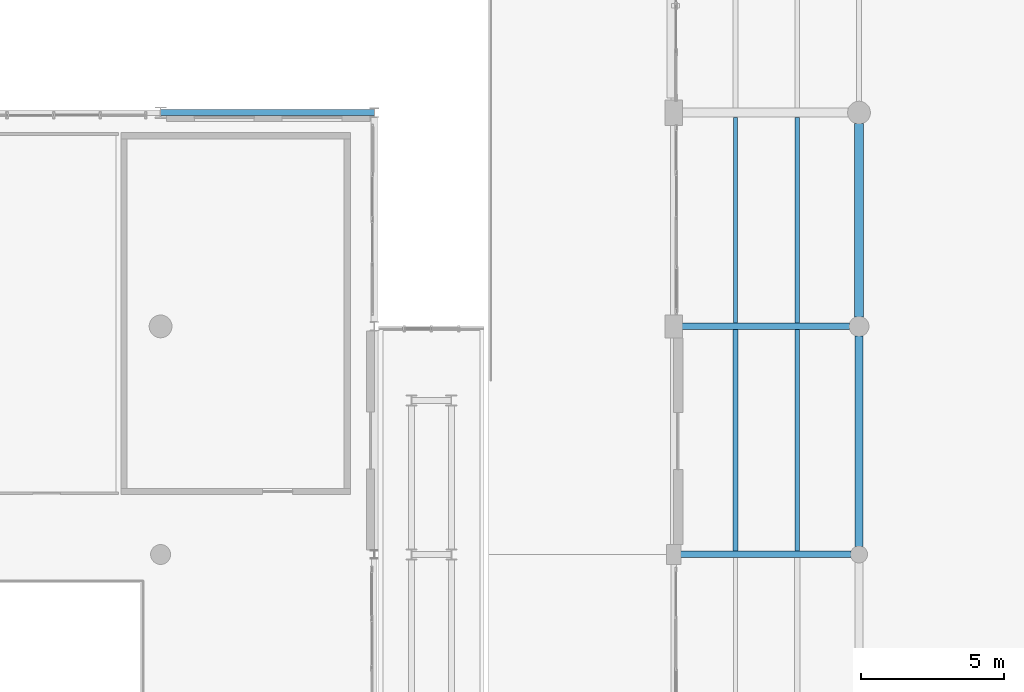
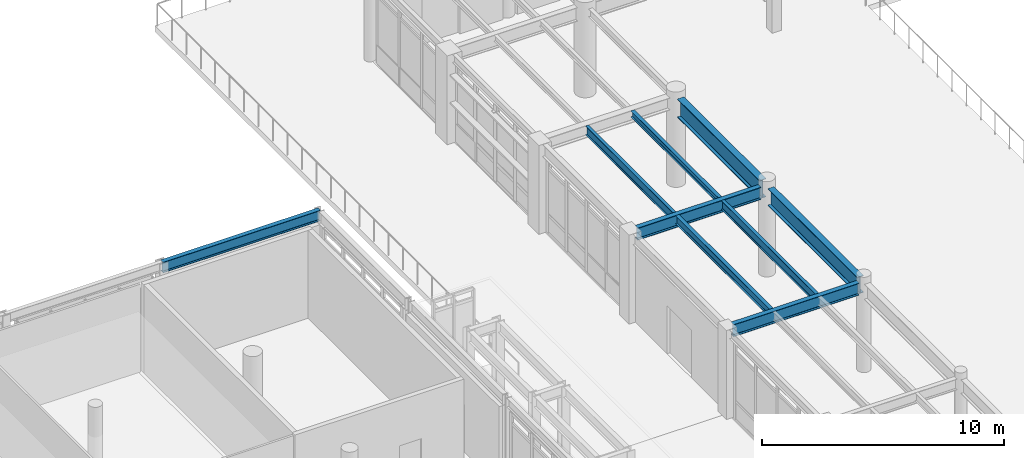
# One storey, part 39 of 200: 9 beams.
"""IFC4 building model written with IfcOpenShell, lengths in metres."""

from ifc_helpers import new_model, si_unit, direction, frame, origin, origin_2d, place, context, subcontext, project, spatial, i_section, extrude, material, material_profile, profile_set, type_object, element, save


model = new_model("IFC4")

# Units and contexts
model_context = context("Model", 3, precision=1e-05, world=origin(), true_north=direction((0.0, 1.0)))
body_context = subcontext(model_context, "Body", "Model", "MODEL_VIEW")
ifc_project = project(units=[si_unit("LENGTHUNIT", "METRE"), si_unit("AREAUNIT", "SQUARE_METRE"), si_unit("VOLUMEUNIT", "CUBIC_METRE"), si_unit("PLANEANGLEUNIT", "RADIAN"), si_unit("MASSUNIT", "GRAM", prefix="KILO"), si_unit("THERMODYNAMICTEMPERATUREUNIT", "KELVIN"), si_unit("POWERUNIT", "WATT")], contexts=[model_context])

# Site, building, storey
site_placement = place(None, origin())
site = spatial("IfcSite", under=ifc_project, at=site_placement, CompositionType="ELEMENT")
building_placement = place(site_placement, origin())
building = spatial("IfcBuilding", under=site, at=building_placement, Name="Tepalcoro Natatorium and Aquatics Centre", CompositionType="ELEMENT")
storey_placement = place(building_placement, frame((0.0, 0.0, 5.39990234375)))
storey = spatial("IfcBuildingStorey", under=building, at=storey_placement, Name="L01", CompositionType="ELEMENT", Elevation=5.39990234375)

# Beams
ifc_material = material(Name="Steel ASTM A992 Grade 50 (Fy 345 MPa)", Category="steel")
ifc_material_profile_1 = material_profile(ifc_material, i_section(OverallWidth=0.22802734375, OverallDepth=0.60693359375, WebThickness=0.010986328125, FlangeThickness=0.01708984375, FilletRadius=0.013916015625, at=origin_2d()), Name="W24X76")
ifc_profile_set_1 = profile_set([ifc_material_profile_1], Name="Steel ASTM A992 Grade 50 (Fy 345 MPa)")
beam_type_1 = type_object("IfcBeamType", Name="BM_W24x76", PredefinedType="BEAM", material=ifc_profile_set_1)
beam_1_placement = place(storey_placement, frame((46.735107421875, 36.0, 4.16162109375), z_axis=(1.0, 0.0, 0.0), x_axis=(0.0, 1.0, 0.0)))
element("IfcBeam", 1, at=beam_1_placement, inside=storey, type_object=beam_type_1, Name="V1 L01 Grid Girder X", PredefinedType="BEAM", context=body_context, shape_type="SweptSolid", body=[
    extrude(i_section(OverallWidth=0.22802734375, OverallDepth=0.60693359375, WebThickness=0.010986328125, FlangeThickness=0.01708984375, FilletRadius=0.013916015625, at=origin_2d()), origin(), (0.0, 0.0, 1.0), 5.97998046875),
])
ifc_material_profile_2 = material_profile(ifc_material, i_section(OverallWidth=0.22998046875, OverallDepth=0.616943359375, WebThickness=0.012939453125, FlangeThickness=0.02197265625, FilletRadius=0.013916015625, at=origin_2d()), Name="W24X94")
ifc_profile_set_2 = profile_set([ifc_material_profile_2], Name="Steel ASTM A992 Grade 50 (Fy 345 MPa)")
beam_type_2 = type_object("IfcBeamType", Name="BM_W24x94", PredefinedType="BEAM", material=ifc_profile_set_2)
beam_2_placement = place(storey_placement, frame((46.784912109375, 44.0, 4.156494140625), z_axis=(1.0, 0.0, 0.0), x_axis=(0.0, 1.0, 0.0)))
element("IfcBeam", 2, at=beam_2_placement, inside=storey, type_object=beam_type_2, Name="V1 L01 Grid Girder X", PredefinedType="BEAM", context=body_context, shape_type="SweptSolid", body=[
    extrude(i_section(OverallWidth=0.22998046875, OverallDepth=0.616943359375, WebThickness=0.012939453125, FlangeThickness=0.02197265625, FilletRadius=0.013916015625, at=origin_2d()), origin(), (0.0, 0.0, 1.0), 5.880126953125),
])
ifc_material_profile_3 = material_profile(ifc_material, i_section(OverallWidth=0.2919921875, OverallDepth=0.85888671875, WebThickness=0.01708984375, FlangeThickness=0.031005859375, FilletRadius=0.013916015625, at=origin_2d()), Name="W33X169")
ifc_profile_set_3 = profile_set([ifc_material_profile_3], Name="Steel ASTM A992 Grade 50 (Fy 345 MPa)")
beam_type_3 = type_object("IfcBeamType", Name="BM_W33x169", PredefinedType="BEAM", material=ifc_profile_set_3)
beam_3_placement = place(storey_placement, frame((53.0, 36.284912109375, 4.03564453125), z_axis=(0.0, 1.0, 0.0), x_axis=(-1.0, 0.0, 0.0)))
element("IfcBeam", 3, at=beam_3_placement, inside=storey, type_object=beam_type_3, Name="V1 L01 Grid Girder Y", PredefinedType="BEAM", context=body_context, shape_type="SweptSolid", body=[
    extrude(i_section(OverallWidth=0.2919921875, OverallDepth=0.85888671875, WebThickness=0.01708984375, FlangeThickness=0.031005859375, FilletRadius=0.013916015625, at=origin_2d()), origin(), (0.0, 0.0, 1.0), 7.380126953125),
])
ifc_material_profile_4 = material_profile(ifc_material, i_section(OverallWidth=0.31005859375, OverallDepth=0.931884765625, WebThickness=0.02099609375, FlangeThickness=0.034912109375, FilletRadius=0.013916015625, at=origin_2d()), Name="W36X210")
ifc_profile_set_4 = profile_set([ifc_material_profile_4], Name="Steel ASTM A992 Grade 50 (Fy 345 MPa)")
beam_type_4 = type_object("IfcBeamType", Name="BM_W36x210", PredefinedType="BEAM", material=ifc_profile_set_4)
beam_4_placement = place(storey_placement, frame((53.0, 44.3349609375, 3.9990234375), z_axis=(0.0, 1.0, 0.0), x_axis=(-1.0, 0.0, 0.0)))
element("IfcBeam", 4, at=beam_4_placement, inside=storey, type_object=beam_type_4, Name="V1 L01 Grid Girder Y", PredefinedType="BEAM", context=body_context, shape_type="SweptSolid", body=[
    extrude(i_section(OverallWidth=0.31005859375, OverallDepth=0.931884765625, WebThickness=0.02099609375, FlangeThickness=0.034912109375, FilletRadius=0.013916015625, at=origin_2d()), origin(), (0.0, 0.0, 1.0), 6.780029296875),
])
ifc_material_profile_5 = material_profile(ifc_material, i_section(OverallWidth=0.1650390625, OverallDepth=0.31005859375, WebThickness=0.006103515625, FlangeThickness=0.010009765625, FilletRadius=0.013916015625, at=origin_2d()), Name="W12X26")
ifc_profile_set_5 = profile_set([ifc_material_profile_5], Name="Steel ASTM A992 Grade 50 (Fy 345 MPa)")
beam_type_5 = type_object("IfcBeamType", Name="JS_W12x26", PredefinedType="JOIST", material=ifc_profile_set_5)
beam_5_placement = place(storey_placement, frame((50.833251953125, 44.114990234375, 4.31005859375), z_axis=(0.0, 1.0, 0.0), x_axis=(-1.0, 0.0, 0.0)))
element("IfcBeam", 5, at=beam_5_placement, inside=storey, type_object=beam_type_5, Name="V1 L01 Floor Joist", PredefinedType="JOIST", context=body_context, shape_type="SweptSolid", body=[
    extrude(i_section(OverallWidth=0.1650390625, OverallDepth=0.31005859375, WebThickness=0.006103515625, FlangeThickness=0.010009765625, FilletRadius=0.013916015625, at=origin_2d()), origin(), (0.0, 0.0, 1.0), 7.222412109375),
])
ifc_material_profile_6 = material_profile(ifc_material, i_section(OverallWidth=0.178955078125, OverallDepth=0.409912109375, WebThickness=0.009033203125, FlangeThickness=0.013916015625, FilletRadius=0.013916015625, at=origin_2d()), Name="W16X45")
ifc_profile_set_6 = profile_set([ifc_material_profile_6], Name="Steel ASTM A992 Grade 50 (Fy 345 MPa)")
beam_type_6 = type_object("IfcBeamType", Name="JS_W16x45", PredefinedType="JOIST", material=ifc_profile_set_6)
beam_6_placement = place(storey_placement, frame((48.666748046875, 36.114013671875, 4.260009765625), z_axis=(0.0, 1.0, 0.0), x_axis=(-1.0, 0.0, 0.0)))
element("IfcBeam", 6, at=beam_6_placement, inside=storey, type_object=beam_type_6, Name="V1 L01 Floor Joist", PredefinedType="JOIST", context=body_context, shape_type="SweptSolid", body=[
    extrude(i_section(OverallWidth=0.178955078125, OverallDepth=0.409912109375, WebThickness=0.009033203125, FlangeThickness=0.013916015625, FilletRadius=0.013916015625, at=origin_2d()), origin(), (0.0, 0.0, 1.0), 7.77099609375),
])
ifc_material_profile_7 = material_profile(ifc_material, i_section(OverallWidth=0.153076171875, OverallDepth=0.455078125, WebThickness=0.008056640625, FlangeThickness=0.012939453125, FilletRadius=0.013916015625, at=origin_2d()), Name="W18X40")
ifc_profile_set_7 = profile_set([ifc_material_profile_7], Name="Steel ASTM A992 Grade 50 (Fy 345 MPa)")
beam_type_7 = type_object("IfcBeamType", Name="JS_W18x40", PredefinedType="JOIST", material=ifc_profile_set_7)
beam_7_placement = place(storey_placement, frame((50.833251953125, 36.114013671875, 4.237548828125), z_axis=(0.0, 1.0, 0.0), x_axis=(-1.0, 0.0, 0.0)))
element("IfcBeam", 7, at=beam_7_placement, inside=storey, type_object=beam_type_7, Name="V1 L01 Floor Joist", PredefinedType="JOIST", context=body_context, shape_type="SweptSolid", body=[
    extrude(i_section(OverallWidth=0.153076171875, OverallDepth=0.455078125, WebThickness=0.008056640625, FlangeThickness=0.012939453125, FilletRadius=0.013916015625, at=origin_2d()), origin(), (0.0, 0.0, 1.0), 7.77099609375),
])
beam_8_placement = place(storey_placement, frame((48.666748046875, 44.114990234375, 4.237548828125), z_axis=(0.0, 1.0, 0.0), x_axis=(-1.0, 0.0, 0.0)))
element("IfcBeam", 8, at=beam_8_placement, inside=storey, type_object=beam_type_7, Name="V1 L01 Floor Joist", PredefinedType="JOIST", context=body_context, shape_type="SweptSolid", body=[
    extrude(i_section(OverallWidth=0.153076171875, OverallDepth=0.455078125, WebThickness=0.008056640625, FlangeThickness=0.012939453125, FilletRadius=0.013916015625, at=origin_2d()), origin(), (0.0, 0.0, 1.0), 7.222412109375),
])
ifc_material_profile_8 = material_profile(ifc_material, i_section(OverallWidth=0.2099609375, OverallDepth=0.535888671875, WebThickness=0.010986328125, FlangeThickness=0.01708984375, FilletRadius=0.013916015625, at=origin_2d()), Name="W21X68")
ifc_profile_set_8 = profile_set([ifc_material_profile_8], Name="Steel ASTM A992 Grade 50 (Fy 345 MPa)")
beam_type_8 = type_object("IfcBeamType", Name="SP_W21x68", PredefinedType="SPANDREL", material=ifc_profile_set_8)
beam_9_placement = place(storey_placement, frame((28.5, 51.5, 4.317138671875), z_axis=(1.0, 0.0, 0.0), x_axis=(0.0, 1.0, 0.0)))
element("IfcBeam", 9, at=beam_9_placement, inside=storey, type_object=beam_type_8, Name="V3 L01 Grid Girder X", PredefinedType="SPANDREL", context=body_context, shape_type="SweptSolid", body=[
    extrude(i_section(OverallWidth=0.2099609375, OverallDepth=0.535888671875, WebThickness=0.010986328125, FlangeThickness=0.01708984375, FilletRadius=0.013916015625, at=origin_2d()), origin(), (0.0, 0.0, 1.0), 7.5),
])

save(model, "model.ifc")
